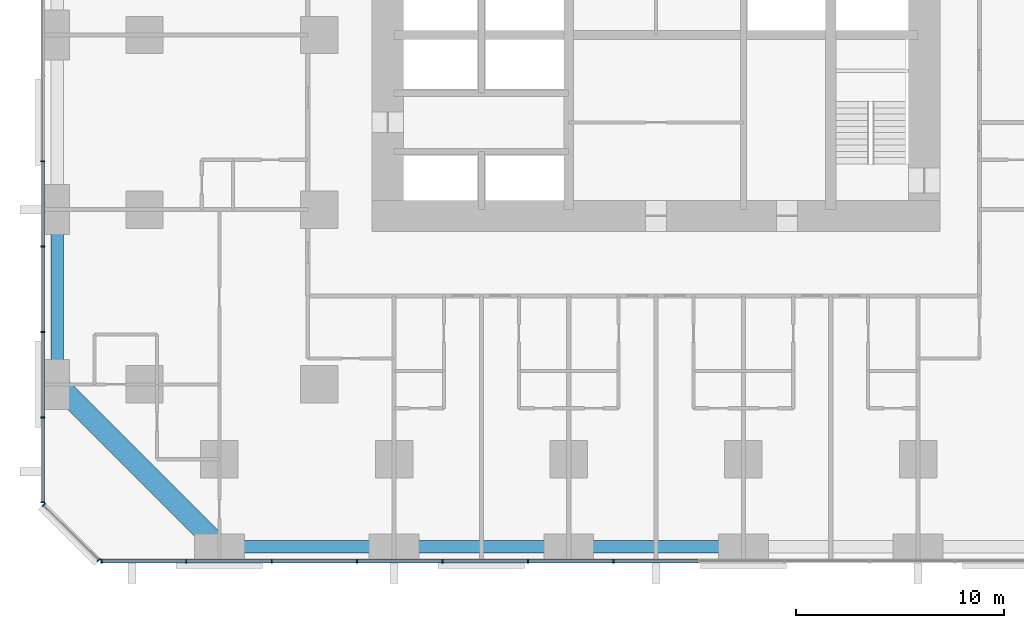
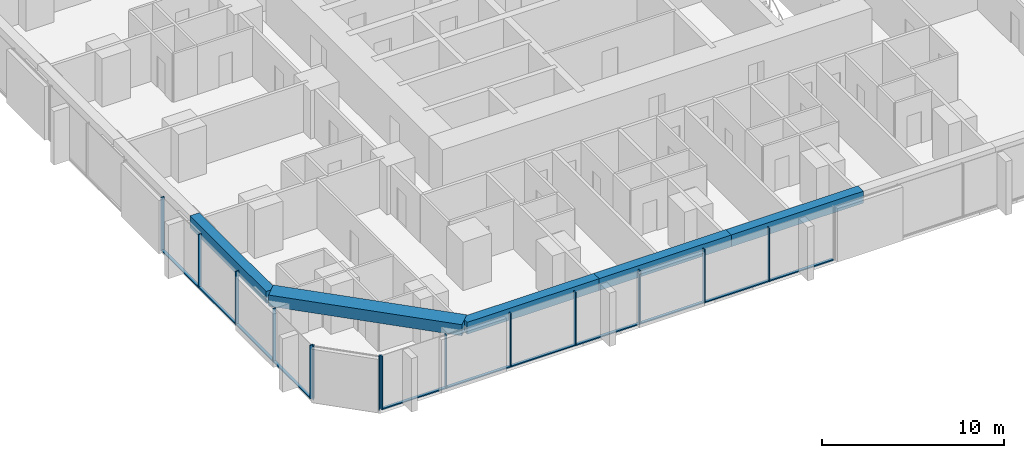
# One storey, part 2 of 17: 25 members, 5 beams, 3 elements without a shape of their own.
"""IFC4 building model written with IfcOpenShell, lengths in metres."""

import ifcopenshell
import ifcopenshell.guid

model = None  # the IFC model being written
_history = None  # IfcOwnerHistory: only IFC2X3 demands one
_inside = {}  # id of a spatial element -> (the spatial element, [elements in it])
_under = {}  # id of a project, library or spatial element -> (it, [spatial elements below it])
_declared = {}  # id of a project -> (the project, [libraries it declares])
_typed = {}  # id of a type object -> (the type object, [elements of that type])
_made_of = {}  # id of a material, layer set ... -> (it, [elements and type objects made of it])


def new_model(schema):
    """Start an empty IFC model of exactly this schema.

    Asked for "IFC4X3", IfcOpenShell would pick the latest addendum, in which some entities
    have other attributes; the version numbers below select the first issue.
    IFC2X3 requires an IfcOwnerHistory on every rooted entity: one is made here for all.
    """
    global model, _history
    if schema == "IFC4X3":
        model = ifcopenshell.file(schema_version=(4, 3, 0, 0))
    else:
        model = ifcopenshell.file(schema=schema)
    _inside.clear()
    _under.clear()
    _declared.clear()
    _typed.clear()
    _made_of.clear()
    _history = None
    if model.schema == "IFC2X3":
        org = make("IfcOrganization", Name="unknown")
        user = make(
            "IfcPersonAndOrganization",
            ThePerson=make("IfcPerson", FamilyName="unknown"),
            TheOrganization=org,
        )
        app = make(
            "IfcApplication",
            ApplicationDeveloper=org,
            Version="unknown",
            ApplicationFullName="unknown",
            ApplicationIdentifier="unknown",
        )
        _history = make(
            "IfcOwnerHistory",
            OwningUser=user,
            OwningApplication=app,
            ChangeAction="ADDED",
            CreationDate=0,
        )
    return model


def make(cls, **values):
    """One entity of the class cls with the attributes given. An attribute that is None is left unset."""
    return model.create_entity(
        cls, **{name: value for name, value in values.items() if value is not None}
    )


def rooted(cls, **values):
    """An entity with a GlobalId (a new one), such as an element, a storey or a relation."""
    return make(cls, GlobalId=ifcopenshell.guid.new(), OwnerHistory=_history, **values)


def si_unit(unit_type, name, prefix=None):
    """IfcSIUnit, for example si_unit("LENGTHUNIT", "METRE", prefix="MILLI")."""
    return make("IfcSIUnit", UnitType=unit_type, Prefix=prefix, Name=name)


def assignment(units):
    """IfcUnitAssignment: the units of a project."""
    return None if units is None else make("IfcUnitAssignment", Units=units)


def point(xyz):
    """IfcCartesianPoint."""
    return None if xyz is None else make("IfcCartesianPoint", Coordinates=xyz)


def direction(xyz):
    """IfcDirection."""
    return None if xyz is None else make("IfcDirection", DirectionRatios=xyz)


def frame(location, z_axis=None, x_axis=None):
    """IfcAxis2Placement3D, a coordinate frame: its origin and axes. An axis left out is left unset."""
    return make(
        "IfcAxis2Placement3D",
        Location=point(location),
        Axis=direction(z_axis),
        RefDirection=direction(x_axis),
    )


def frame_2d(location, x_axis=None):
    """IfcAxis2Placement2D, a coordinate frame in the plane: its origin and x axis."""
    return make(
        "IfcAxis2Placement2D", Location=point(location), RefDirection=direction(x_axis)
    )


def origin():
    """The frame at (0, 0, 0) with its axes left unset."""
    return frame((0.0, 0.0, 0.0))


def origin_2d():
    """The frame at (0, 0) in the plane with its x axis left unset."""
    return frame_2d((0.0, 0.0))


def place(relative_to, where):
    """IfcLocalPlacement: puts the frame where relative to a parent placement (None: the world)."""
    return make(
        "IfcLocalPlacement", PlacementRelTo=relative_to, RelativePlacement=where
    )


def context(
    kind, dimensions, precision=None, world=None, true_north=None, identifier=None
):
    """IfcGeometricRepresentationContext, for example the 3D "Model" context."""
    return make(
        "IfcGeometricRepresentationContext",
        ContextIdentifier=identifier,
        ContextType=kind,
        CoordinateSpaceDimension=dimensions,
        Precision=precision,
        WorldCoordinateSystem=world,
        TrueNorth=true_north,
    )


def subcontext(parent, identifier, kind, view, scale=None):
    """IfcGeometricRepresentationSubContext, for example "Body" below "Model"."""
    return make(
        "IfcGeometricRepresentationSubContext",
        ContextIdentifier=identifier,
        ContextType=kind,
        ParentContext=parent,
        TargetScale=scale,
        TargetView=view,
    )


def project(units=None, contexts=None):
    """IfcProject with its units and contexts."""
    return rooted(
        "IfcProject",
        Name="project",
        RepresentationContexts=contexts,
        UnitsInContext=assignment(units),
    )


def spatial(cls, under=None, at=None, **own):
    """A site, building, storey or space (cls), placed at a placement, below another one or the project."""
    s = rooted(cls, ObjectPlacement=at, **own)
    if under is not None:
        _under.setdefault(under.id(), (under, []))[1].append(s)
    return s


def profile(cls, at=None, kind="AREA", **sizes):
    """A parametric profile (cls). Its sizes go by their IFC names, for example OverallWidth=200.0."""
    return make(cls, ProfileType=kind, Position=at, **sizes)


def rectangle(**sizes):
    """IfcRectangleProfileDef."""
    return profile("IfcRectangleProfileDef", **sizes)


def extrude(swept, where, along, depth):
    """IfcExtrudedAreaSolid: the profile swept, set in the frame where, extruded along a direction by depth."""
    return make(
        "IfcExtrudedAreaSolid",
        SweptArea=swept,
        Position=where,
        ExtrudedDirection=direction(along),
        Depth=depth,
    )


def shape(context_of_items, identifier, shape_type, items):
    """IfcShapeRepresentation: the items that make up one representation, for example the "Body"."""
    return make(
        "IfcShapeRepresentation",
        ContextOfItems=context_of_items,
        RepresentationIdentifier=identifier,
        RepresentationType=shape_type,
        Items=items,
    )


def material(Name=None, Category=None):
    """IfcMaterial."""
    return make("IfcMaterial", Name=Name, Category=Category)


def material_profile(
    of_material, cross_section, Name=None, Category=None, Priority=None
):
    """IfcMaterialProfile: a cross section and its material."""
    return make(
        "IfcMaterialProfile",
        Name=Name,
        Material=of_material,
        Profile=cross_section,
        Priority=Priority,
        Category=Category,
    )


def profile_set(profiles, Name=None, composite=None):
    """IfcMaterialProfileSet."""
    return make(
        "IfcMaterialProfileSet",
        Name=Name,
        MaterialProfiles=profiles,
        CompositeProfile=composite,
    )


def made_of(thing, what):
    """Note that an element or type object is made of a material, layer set ...; save() writes the relation."""
    if what is not None:
        _made_of.setdefault(what.id(), (what, []))[1].append(thing)
    return thing


def type_object(cls, material=None, **own):
    """A type object (cls), such as IfcWallType, which elements share."""
    return made_of(rooted(cls, **own), material)


def element(
    cls,
    number,
    at=None,
    inside=None,
    cuts=None,
    type_object=None,
    material=None,
    context=None,
    identifier="Body",
    shape_type=None,
    held_by="IfcProductDefinitionShape",
    body=None,
    shapes=None,
    **own,
):
    """One element of the class cls, such as IfcWall. Its Tag is "e" and its number.

    at: its placement. inside: the storey or other place that contains it. cuts: it is an
    opening in that element (IfcRelVoidsElement). A single representation is given by context,
    identifier, shape_type and body (its items); several are given by shapes. held_by: the class
    of the entity that holds the representations. save() writes the other relations.
    """
    e = rooted(cls, Tag="e%d" % number, ObjectPlacement=at, **own)
    if body is not None:
        shapes = [shape(context, identifier, shape_type, body)]
    if shapes is not None:
        e.Representation = make(held_by, Representations=shapes)
    if inside is not None:
        _inside.setdefault(inside.id(), (inside, []))[1].append(e)
    if cuts is not None:
        rooted(
            "IfcRelVoidsElement", RelatingBuildingElement=cuts, RelatedOpeningElement=e
        )
    if type_object is not None:
        _typed.setdefault(type_object.id(), (type_object, []))[1].append(e)
    return made_of(e, material)


def aggregate(whole, parts):
    """IfcRelAggregates: a whole, such as a stair, and the parts it consists of."""
    return rooted("IfcRelAggregates", RelatingObject=whole, RelatedObjects=parts)


def save(model, path):
    """Write the relations noted so far, then the file.

    IfcRelAggregates (storeys below a building ...), IfcRelContainedInSpatialStructure (elements
    in a storey), IfcRelDefinesByType, IfcRelAssociatesMaterial and IfcRelDeclares: one each for
    every whole, place, type object, material and project.
    """
    for whole, parts in _under.values():
        aggregate(whole, parts)
    for where, things in _inside.values():
        rooted(
            "IfcRelContainedInSpatialStructure",
            RelatedElements=things,
            RelatingStructure=where,
        )
    for kind, things in _typed.values():
        rooted("IfcRelDefinesByType", RelatedObjects=things, RelatingType=kind)
    for what, things in _made_of.values():
        rooted("IfcRelAssociatesMaterial", RelatedObjects=things, RelatingMaterial=what)
    for by, libraries in _declared.values():
        rooted("IfcRelDeclares", RelatingContext=by, RelatedDefinitions=libraries)
    model.write(path)


model = new_model("IFC4")

# Units and contexts
model_context = context("Model", 3, precision=1e-05, world=origin(), true_north=direction((0.0, 1.0)))
body_context = subcontext(model_context, "Body", "Model", "MODEL_VIEW")
ifc_project = project(units=[si_unit("LENGTHUNIT", "METRE"), si_unit("AREAUNIT", "SQUARE_METRE"), si_unit("VOLUMEUNIT", "CUBIC_METRE"), si_unit("PLANEANGLEUNIT", "RADIAN"), si_unit("MASSUNIT", "GRAM", prefix="KILO")], contexts=[model_context])

# Site, building, storey
site_placement = place(None, origin())
site = spatial("IfcSite", under=ifc_project, at=site_placement, CompositionType="ELEMENT")
building_placement = place(site_placement, origin())
building = spatial("IfcBuilding", under=site, at=building_placement, Name="Dunama Terrace Hotel", CompositionType="ELEMENT")
storey_placement = place(building_placement, frame((0.0, 0.0, 70.199951171875)))
storey = spatial("IfcBuildingStorey", under=building, at=storey_placement, Name="L17", CompositionType="ELEMENT", Elevation=70.199951171875)

# Curtain wall, members
ifc_material_1 = material(Name="Aluminium curtain wall system", Category="aluminium")
curtain_wall_type = type_object("IfcCurtainWallType", Name="Unitised fritted glass wall CW-A", PredefinedType="NOTDEFINED", material=ifc_material_1)
curtain_wall_1_placement = place(storey_placement, origin())
curtain_wall_1 = element("IfcCurtainWall", 1, at=curtain_wall_1_placement, inside=storey, type_object=curtain_wall_type, Name="Unitised fritted glass wall CW-A L17", PredefinedType="NOTDEFINED")
ifc_material_2 = material(Name="Aluminium mullion", Category="aluminium")
ifc_material_profile_1 = material_profile(ifc_material_2, rectangle(XDim=0.06494140625, YDim=0.199951171875, at=origin_2d()), Name="CWA MULLION 65X200")
ifc_profile_set_1 = profile_set([ifc_material_profile_1], Name="Aluminium mullion")
member_type_1 = type_object("IfcMemberType", Name="CWA mullion 65x200", PredefinedType="MULLION", material=ifc_profile_set_1)
member_1_placement = place(storey_placement, frame((2.73291015625, -0.10009765625, 0.0), z_axis=(0.0, 0.0, 1.0), x_axis=(1.0, 0.0, 0.0)))
member_1 = element("IfcMember", 2, at=member_1_placement, type_object=member_type_1, Name="CWA mullion", PredefinedType="MULLION", context=body_context, shape_type="SweptSolid", body=[
    extrude(rectangle(XDim=0.06494140625, YDim=0.199951171875, at=origin_2d()), origin(), (0.0, 0.0, 1.0), 3.60009765625),
])
member_2_placement = place(storey_placement, frame((6.80810546875, -0.10009765625, 0.0), z_axis=(0.0, 0.0, 1.0), x_axis=(1.0, 0.0, 0.0)))
member_2 = element("IfcMember", 3, at=member_2_placement, type_object=member_type_1, Name="CWA mullion", PredefinedType="MULLION", context=body_context, shape_type="SweptSolid", body=[
    extrude(rectangle(XDim=0.06494140625, YDim=0.199951171875, at=origin_2d()), origin(), (0.0, 0.0, 1.0), 3.60009765625),
])
member_3_placement = place(storey_placement, frame((10.9150390625, -0.10009765625, 0.0), z_axis=(0.0, 0.0, 1.0), x_axis=(1.0, 0.0, 0.0)))
member_3 = element("IfcMember", 4, at=member_3_placement, type_object=member_type_1, Name="CWA mullion", PredefinedType="MULLION", context=body_context, shape_type="SweptSolid", body=[
    extrude(rectangle(XDim=0.06494140625, YDim=0.199951171875, at=origin_2d()), origin(), (0.0, 0.0, 1.0), 3.60009765625),
])
member_4_placement = place(storey_placement, frame((15.02294921875, -0.10009765625, 0.0), z_axis=(0.0, 0.0, 1.0), x_axis=(1.0, 0.0, 0.0)))
member_4 = element("IfcMember", 5, at=member_4_placement, type_object=member_type_1, Name="CWA mullion", PredefinedType="MULLION", context=body_context, shape_type="SweptSolid", body=[
    extrude(rectangle(XDim=0.06494140625, YDim=0.199951171875, at=origin_2d()), origin(), (0.0, 0.0, 1.0), 3.60009765625),
])
member_5_placement = place(storey_placement, frame((19.131103515625, -0.10009765625, 0.0), z_axis=(0.0, 0.0, 1.0), x_axis=(1.0, 0.0, 0.0)))
member_5 = element("IfcMember", 6, at=member_5_placement, type_object=member_type_1, Name="CWA mullion", PredefinedType="MULLION", context=body_context, shape_type="SweptSolid", body=[
    extrude(rectangle(XDim=0.06494140625, YDim=0.199951171875, at=origin_2d()), origin(), (0.0, 0.0, 1.0), 3.60009765625),
])
member_6_placement = place(storey_placement, frame((23.238037109375, -0.10009765625, 0.0), z_axis=(0.0, 0.0, 1.0), x_axis=(1.0, 0.0, 0.0)))
member_6 = element("IfcMember", 7, at=member_6_placement, type_object=member_type_1, Name="CWA mullion", PredefinedType="MULLION", context=body_context, shape_type="SweptSolid", body=[
    extrude(rectangle(XDim=0.06494140625, YDim=0.199951171875, at=origin_2d()), origin(), (0.0, 0.0, 1.0), 3.60009765625),
])
member_7_placement = place(storey_placement, frame((27.345947265625, -0.10009765625, 0.0), z_axis=(0.0, 0.0, 1.0), x_axis=(1.0, 0.0, 0.0)))
member_7 = element("IfcMember", 8, at=member_7_placement, type_object=member_type_1, Name="CWA mullion", PredefinedType="MULLION", context=body_context, shape_type="SweptSolid", body=[
    extrude(rectangle(XDim=0.06494140625, YDim=0.199951171875, at=origin_2d()), origin(), (0.0, 0.0, 1.0), 3.60009765625),
])

curtain_wall_2_placement = place(storey_placement, origin())
curtain_wall_2 = element("IfcCurtainWall", 9, at=curtain_wall_2_placement, inside=storey, type_object=curtain_wall_type, Name="Unitised fritted glass wall CW-A L17", PredefinedType="NOTDEFINED")
member_8_placement = place(storey_placement, frame((-0.10009765625, 19.131103515625, 0.0), z_axis=(0.0, 0.0, 1.0), x_axis=(0.0, -1.0, 0.0)))
member_8 = element("IfcMember", 10, at=member_8_placement, type_object=member_type_1, Name="CWA mullion", PredefinedType="MULLION", context=body_context, shape_type="SweptSolid", body=[
    extrude(rectangle(XDim=0.06494140625, YDim=0.199951171875, at=origin_2d()), origin(), (0.0, 0.0, 1.0), 3.60009765625),
])
member_9_placement = place(storey_placement, frame((-0.10009765625, 15.02294921875, 0.0), z_axis=(0.0, 0.0, 1.0), x_axis=(0.0, -1.0, 0.0)))
member_9 = element("IfcMember", 11, at=member_9_placement, type_object=member_type_1, Name="CWA mullion", PredefinedType="MULLION", context=body_context, shape_type="SweptSolid", body=[
    extrude(rectangle(XDim=0.06494140625, YDim=0.199951171875, at=origin_2d()), origin(), (0.0, 0.0, 1.0), 3.60009765625),
])
member_10_placement = place(storey_placement, frame((-0.10009765625, 10.9150390625, 0.0), z_axis=(0.0, 0.0, 1.0), x_axis=(0.0, -1.0, 0.0)))
member_10 = element("IfcMember", 12, at=member_10_placement, type_object=member_type_1, Name="CWA mullion", PredefinedType="MULLION", context=body_context, shape_type="SweptSolid", body=[
    extrude(rectangle(XDim=0.06494140625, YDim=0.199951171875, at=origin_2d()), origin(), (0.0, 0.0, 1.0), 3.60009765625),
])
member_11_placement = place(storey_placement, frame((-0.10009765625, 6.80810546875, 0.0), z_axis=(0.0, 0.0, 1.0), x_axis=(0.0, -1.0, 0.0)))
member_11 = element("IfcMember", 13, at=member_11_placement, type_object=member_type_1, Name="CWA mullion", PredefinedType="MULLION", context=body_context, shape_type="SweptSolid", body=[
    extrude(rectangle(XDim=0.06494140625, YDim=0.199951171875, at=origin_2d()), origin(), (0.0, 0.0, 1.0), 3.60009765625),
])
member_12_placement = place(storey_placement, frame((-0.10009765625, 2.73291015625, 0.0), z_axis=(0.0, 0.0, 1.0), x_axis=(0.0, -1.0, 0.0)))
member_12 = element("IfcMember", 14, at=member_12_placement, type_object=member_type_1, Name="CWA mullion", PredefinedType="MULLION", context=body_context, shape_type="SweptSolid", body=[
    extrude(rectangle(XDim=0.06494140625, YDim=0.199951171875, at=origin_2d()), origin(), (0.0, 0.0, 1.0), 3.60009765625),
])

curtain_wall_3_placement = place(storey_placement, origin())
curtain_wall_3 = element("IfcCurtainWall", 15, at=curtain_wall_3_placement, inside=storey, type_object=curtain_wall_type, Name="Unitised fritted glass wall CW-A L17", PredefinedType="NOTDEFINED")
member_13_placement = place(storey_placement, frame((-0.048095703125, 2.60595703125, 0.0), z_axis=(0.0, 0.0, 1.0), x_axis=(0.707106781187, -0.707106781187, 0.0)))
member_13 = element("IfcMember", 16, at=member_13_placement, type_object=member_type_1, Name="CWA mullion", PredefinedType="MULLION", context=body_context, shape_type="SweptSolid", body=[
    extrude(rectangle(XDim=0.06494140625, YDim=0.199951171875, at=origin_2d()), origin(), (0.0, 0.0, 1.0), 3.60009765625),
])
member_14_placement = place(storey_placement, frame((2.60595703125, -0.048095703125, 0.0), z_axis=(0.0, 0.0, 1.0), x_axis=(0.707106781187, -0.707106781187, 0.0)))
member_14 = element("IfcMember", 17, at=member_14_placement, type_object=member_type_1, Name="CWA mullion", PredefinedType="MULLION", context=body_context, shape_type="SweptSolid", body=[
    extrude(rectangle(XDim=0.06494140625, YDim=0.199951171875, at=origin_2d()), origin(), (0.0, 0.0, 1.0), 3.60009765625),
])
aggregate(curtain_wall_3, [member_13, member_14])

# Member
ifc_material_3 = material(Name="Aluminium transom", Category="aluminium")
ifc_material_profile_2 = material_profile(ifc_material_3, rectangle(XDim=0.179931640625, YDim=0.074951171875, at=origin_2d()), Name="CWA TRANSOM 180X75")
ifc_profile_set_2 = profile_set([ifc_material_profile_2], Name="Aluminium transom")
member_type_2 = type_object("IfcMemberType", Name="CWA transom 180x75", PredefinedType="USERDEFINED", material=ifc_profile_set_2)
member_15_placement = place(storey_placement, frame((2.764892578125, -0.10009765625, 0.03759765625), z_axis=(1.0, 0.0, 0.0), x_axis=(0.0, 1.0, 0.0)))
member_15 = element("IfcMember", 18, at=member_15_placement, type_object=member_type_2, Name="CWA transom", ObjectType="TRANSOM", PredefinedType="USERDEFINED", context=body_context, shape_type="SweptSolid", body=[
    extrude(rectangle(XDim=0.179931640625, YDim=0.074951171875, at=origin_2d()), origin(), (0.0, 0.0, 1.0), 4.010009765625),
])

member_16_placement = place(storey_placement, frame((6.840087890625, -0.10009765625, 0.03759765625), z_axis=(1.0, 0.0, 0.0), x_axis=(0.0, 1.0, 0.0)))
member_16 = element("IfcMember", 19, at=member_16_placement, type_object=member_type_2, Name="CWA transom", ObjectType="TRANSOM", PredefinedType="USERDEFINED", context=body_context, shape_type="SweptSolid", body=[
    extrude(rectangle(XDim=0.179931640625, YDim=0.074951171875, at=origin_2d()), origin(), (0.0, 0.0, 1.0), 4.04296875),
])

member_17_placement = place(storey_placement, frame((10.947998046875, -0.10009765625, 0.03759765625), z_axis=(1.0, 0.0, 0.0), x_axis=(0.0, 1.0, 0.0)))
member_17 = element("IfcMember", 20, at=member_17_placement, type_object=member_type_2, Name="CWA transom", ObjectType="TRANSOM", PredefinedType="USERDEFINED", context=body_context, shape_type="SweptSolid", body=[
    extrude(rectangle(XDim=0.179931640625, YDim=0.074951171875, at=origin_2d()), origin(), (0.0, 0.0, 1.0), 4.04296875),
])

member_18_placement = place(storey_placement, frame((15.055908203125, -0.10009765625, 0.03759765625), z_axis=(1.0, 0.0, 0.0), x_axis=(0.0, 1.0, 0.0)))
member_18 = element("IfcMember", 21, at=member_18_placement, type_object=member_type_2, Name="CWA transom", ObjectType="TRANSOM", PredefinedType="USERDEFINED", context=body_context, shape_type="SweptSolid", body=[
    extrude(rectangle(XDim=0.179931640625, YDim=0.074951171875, at=origin_2d()), origin(), (0.0, 0.0, 1.0), 4.0419921875),
])

member_19_placement = place(storey_placement, frame((19.1630859375, -0.10009765625, 0.03759765625), z_axis=(1.0, 0.0, 0.0), x_axis=(0.0, 1.0, 0.0)))
member_19 = element("IfcMember", 22, at=member_19_placement, type_object=member_type_2, Name="CWA transom", ObjectType="TRANSOM", PredefinedType="USERDEFINED", context=body_context, shape_type="SweptSolid", body=[
    extrude(rectangle(XDim=0.179931640625, YDim=0.074951171875, at=origin_2d()), origin(), (0.0, 0.0, 1.0), 4.04296875),
])

member_20_placement = place(storey_placement, frame((23.27099609375, -0.10009765625, 0.03759765625), z_axis=(1.0, 0.0, 0.0), x_axis=(0.0, 1.0, 0.0)))
member_20 = element("IfcMember", 23, at=member_20_placement, type_object=member_type_2, Name="CWA transom", ObjectType="TRANSOM", PredefinedType="USERDEFINED", context=body_context, shape_type="SweptSolid", body=[
    extrude(rectangle(XDim=0.179931640625, YDim=0.074951171875, at=origin_2d()), origin(), (0.0, 0.0, 1.0), 4.04296875),
])

member_21_placement = place(storey_placement, frame((27.37890625, -0.10009765625, 0.03759765625), z_axis=(1.0, 0.0, 0.0), x_axis=(0.0, 1.0, 0.0)))
member_21 = element("IfcMember", 24, at=member_21_placement, type_object=member_type_2, Name="CWA transom", ObjectType="TRANSOM", PredefinedType="USERDEFINED", context=body_context, shape_type="SweptSolid", body=[
    extrude(rectangle(XDim=0.179931640625, YDim=0.074951171875, at=origin_2d()), origin(), (0.0, 0.0, 1.0), 4.0419921875),
])

aggregate(curtain_wall_1, [member_1, member_2, member_3, member_4, member_5, member_6, member_7, member_15, member_16, member_17, member_18, member_19, member_20, member_21])

member_22_placement = place(storey_placement, frame((-0.10009765625, 19.097900390625, 0.03759765625), z_axis=(0.0, -1.0, 0.0), x_axis=(1.0, 0.0, 0.0)))
member_22 = element("IfcMember", 25, at=member_22_placement, type_object=member_type_2, Name="CWA transom", ObjectType="TRANSOM", PredefinedType="USERDEFINED", context=body_context, shape_type="SweptSolid", body=[
    extrude(rectangle(XDim=0.179931640625, YDim=0.074951171875, at=origin_2d()), origin(), (0.0, 0.0, 1.0), 4.0419921875),
])

member_23_placement = place(storey_placement, frame((-0.10009765625, 14.990966796875, 0.03759765625), z_axis=(0.0, -1.0, 0.0), x_axis=(1.0, 0.0, 0.0)))
member_23 = element("IfcMember", 26, at=member_23_placement, type_object=member_type_2, Name="CWA transom", ObjectType="TRANSOM", PredefinedType="USERDEFINED", context=body_context, shape_type="SweptSolid", body=[
    extrude(rectangle(XDim=0.179931640625, YDim=0.074951171875, at=origin_2d()), origin(), (0.0, 0.0, 1.0), 4.04296875),
])

member_24_placement = place(storey_placement, frame((-0.10009765625, 10.883056640625, 0.03759765625), z_axis=(0.0, -1.0, 0.0), x_axis=(1.0, 0.0, 0.0)))
member_24 = element("IfcMember", 27, at=member_24_placement, type_object=member_type_2, Name="CWA transom", ObjectType="TRANSOM", PredefinedType="USERDEFINED", context=body_context, shape_type="SweptSolid", body=[
    extrude(rectangle(XDim=0.179931640625, YDim=0.074951171875, at=origin_2d()), origin(), (0.0, 0.0, 1.0), 4.04296875),
])

member_25_placement = place(storey_placement, frame((-0.10009765625, 6.77490234375, 0.03759765625), z_axis=(0.0, -1.0, 0.0), x_axis=(1.0, 0.0, 0.0)))
member_25 = element("IfcMember", 28, at=member_25_placement, type_object=member_type_2, Name="CWA transom", ObjectType="TRANSOM", PredefinedType="USERDEFINED", context=body_context, shape_type="SweptSolid", body=[
    extrude(rectangle(XDim=0.179931640625, YDim=0.074951171875, at=origin_2d()), origin(), (0.0, 0.0, 1.0), 4.010009765625),
])

aggregate(curtain_wall_2, [member_8, member_9, member_10, member_11, member_12, member_22, member_23, member_24, member_25])

# Beams
ifc_material_4 = material(Name="Concrete C50/60", Category="concrete")
ifc_material_profile_3 = material_profile(ifc_material_4, rectangle(XDim=1.0, YDim=0.75, at=origin_2d()), Name="RC 1000x750")
ifc_profile_set_3 = profile_set([ifc_material_profile_3], Name="Concrete C50/60")
beam_type_1 = type_object("IfcBeamType", Name="Edge beam RC 1000x750", PredefinedType="SPANDREL", material=ifc_profile_set_3)
beam_1_placement = place(storey_placement, frame((8.39990234375, 0.60009765625, 3.22509765625), z_axis=(-0.707106781187, 0.707106781187, 0.0), x_axis=(-0.707106781187, -0.707106781187, 0.0)))
element("IfcBeam", 29, at=beam_1_placement, inside=storey, type_object=beam_type_1, Name="Corner edge beam under L18", PredefinedType="SPANDREL", context=body_context, shape_type="SweptSolid", body=[
    extrude(rectangle(XDim=1.0, YDim=0.75, at=origin_2d()), origin(), (0.0, 0.0, 1.0), 11.030517578125),
])
ifc_material_5 = material(Name="Concrete C40/50", Category="concrete")
ifc_material_profile_4 = material_profile(ifc_material_5, rectangle(XDim=0.60009765625, YDim=0.800048828125, at=origin_2d()), Name="RC 600x800")
ifc_profile_set_4 = profile_set([ifc_material_profile_4], Name="Concrete C40/50")
beam_type_2 = type_object("IfcBeamType", Name="Edge beam RC 600x800", PredefinedType="SPANDREL", material=ifc_profile_set_4)
for number, where, z_axis, x_axis, name in (
    (30, (0.60009765625, 8.39990234375, 3.199951171875), (0.0, 1.0, 0.0), (-1.0, 0.0, 0.0), "Edge beam under L18"),
    (31, (8.39990234375, 0.60009765625, 3.199951171875), (1.0, 0.0, 0.0), (0.0, 1.0, 0.0), "Edge beam under L18"),
):
    element("IfcBeam", number, at=place(storey_placement, frame(where, z_axis=z_axis, x_axis=x_axis)), inside=storey, type_object=beam_type_2, Name=name, PredefinedType="SPANDREL", context=body_context, shape_type="SweptSolid", body=[
        extrude(rectangle(XDim=0.60009765625, YDim=0.800048828125, at=origin_2d()), origin(), (0.0, 0.0, 1.0), 8.400146484375),
    ])
beam_2_placement = place(storey_placement, frame((16.800048828125, 0.60009765625, 3.199951171875), z_axis=(1.0, 0.0, 0.0), x_axis=(0.0, 1.0, 0.0)))
element("IfcBeam", 32, at=beam_2_placement, inside=storey, type_object=beam_type_2, Name="Edge beam under L18", PredefinedType="SPANDREL", context=body_context, shape_type="SweptSolid", body=[
    extrude(rectangle(XDim=0.60009765625, YDim=0.800048828125, at=origin_2d()), origin(), (0.0, 0.0, 1.0), 8.39990234375),
])
beam_3_placement = place(storey_placement, frame((25.199951171875, 0.60009765625, 3.199951171875), z_axis=(1.0, 0.0, 0.0), x_axis=(0.0, 1.0, 0.0)))
element("IfcBeam", 33, at=beam_3_placement, inside=storey, type_object=beam_type_2, Name="Edge beam under L18", PredefinedType="SPANDREL", context=body_context, shape_type="SweptSolid", body=[
    extrude(rectangle(XDim=0.60009765625, YDim=0.800048828125, at=origin_2d()), origin(), (0.0, 0.0, 1.0), 8.400146484375),
])

save(model, "model.ifc")
